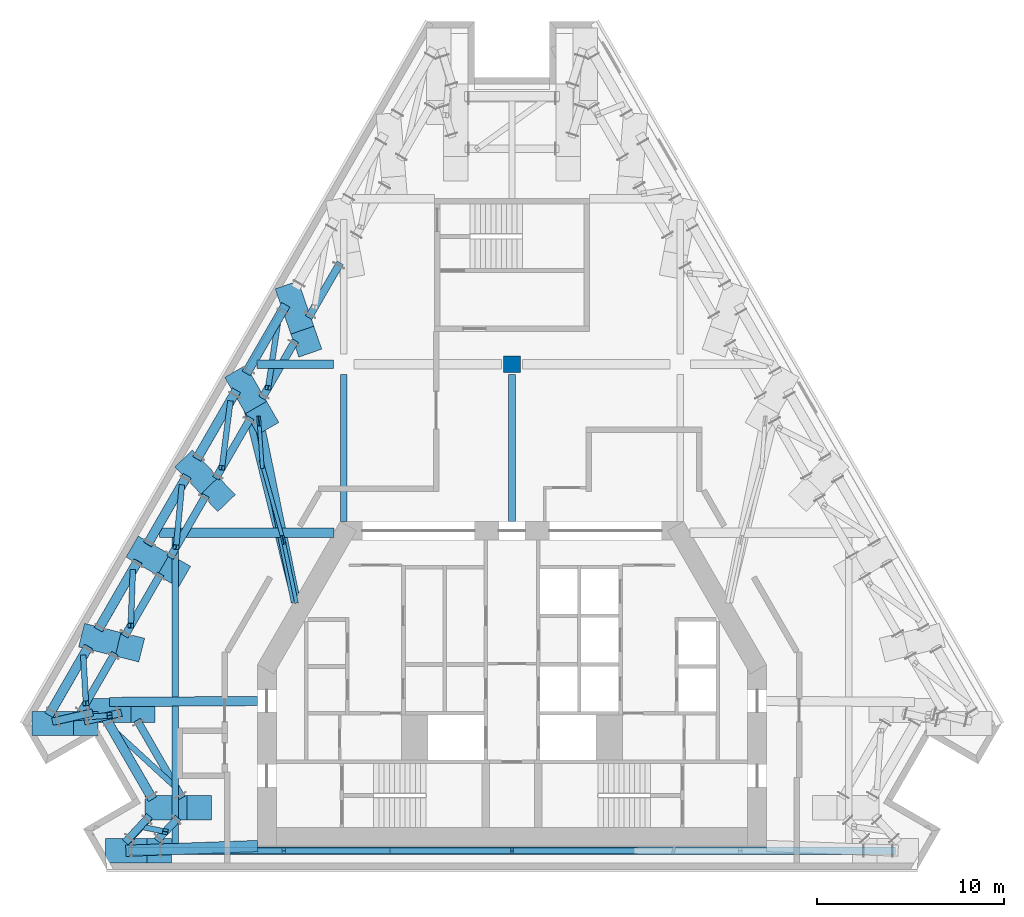
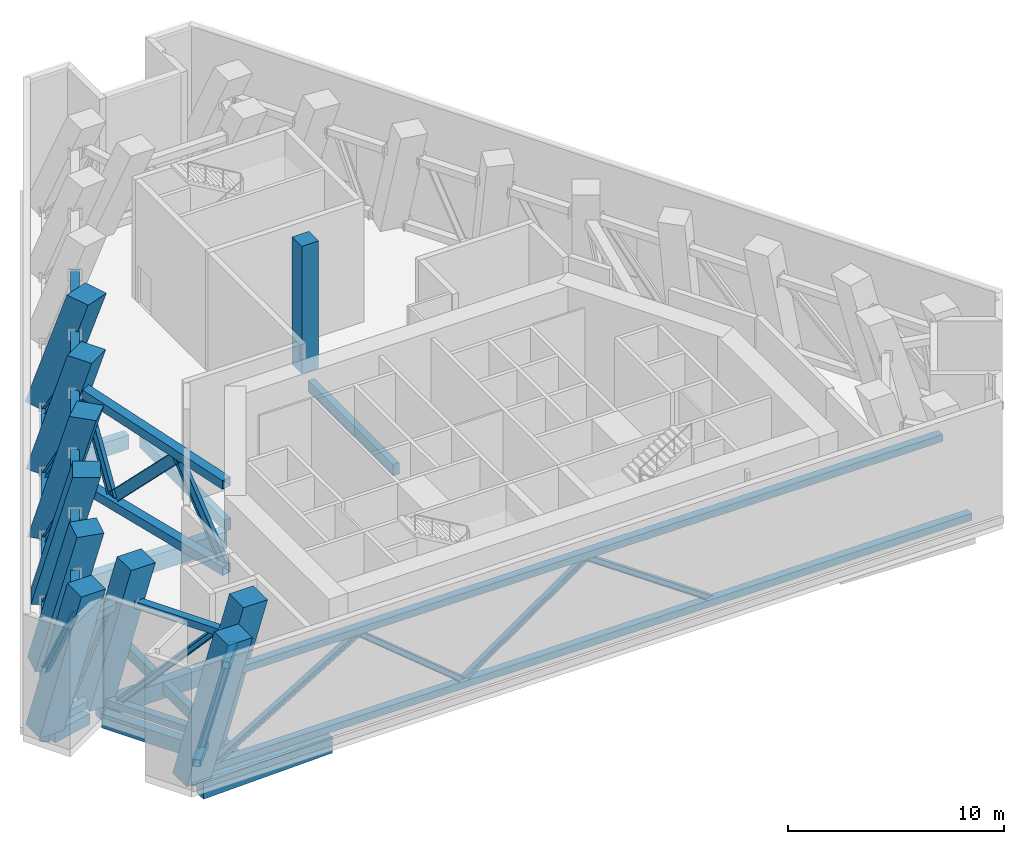
# One storey, part 1 of 13: 45 members, 16 beams, 1 column.
"""IFC4 building model written with IfcOpenShell, lengths in metres."""

from ifc_helpers import new_model, si_unit, direction, frame, origin, origin_2d, place, context, subcontext, project, spatial, rectangle, hollow_rectangle, i_section, extrude, material, material_profile, profile_set, type_object, element, save


model = new_model("IFC4")

# Units and contexts
model_context = context("Model", 3, precision=1e-05, world=origin(), true_north=direction((0.0, 1.0)))
body_context = subcontext(model_context, "Body", "Model", "MODEL_VIEW")
ifc_project = project(units=[si_unit("LENGTHUNIT", "METRE"), si_unit("AREAUNIT", "SQUARE_METRE"), si_unit("VOLUMEUNIT", "CUBIC_METRE"), si_unit("PLANEANGLEUNIT", "RADIAN"), si_unit("MASSUNIT", "GRAM", prefix="KILO")], contexts=[model_context])

# Site, building, storey
site_placement = place(None, origin())
site = spatial("IfcSite", under=ifc_project, at=site_placement, CompositionType="ELEMENT")
building_placement = place(site_placement, origin())
building = spatial("IfcBuilding", under=site, at=building_placement, Name="Fogline Exchange Tower", CompositionType="ELEMENT")
storey_placement = place(building_placement, frame((0.0, 0.0, 259.5)))
storey = spatial("IfcBuildingStorey", under=building, at=storey_placement, Name="L59", CompositionType="ELEMENT", Elevation=259.5)

# Column
ifc_material_1 = material(Name="Concrete C60", Category="concrete")
ifc_material_profile_1 = material_profile(ifc_material_1, rectangle(XDim=0.89990234375, YDim=0.89990234375, at=origin_2d()), Name="RC 900x900")
ifc_profile_set_1 = profile_set([ifc_material_profile_1], Name="Concrete C60")
column_type = type_object("IfcColumnType", Name="C06", PredefinedType="COLUMN", material=ifc_profile_set_1)
column_placement = place(storey_placement, frame((0.0, 27.0, 0.0), z_axis=(0.0, 0.0, 1.0), x_axis=(1.0, 0.0, 0.0)))
element("IfcColumn", 1, at=column_placement, inside=storey, type_object=column_type, Name="IC-0-27", PredefinedType="COLUMN", context=body_context, shape_type="SweptSolid", body=[
    extrude(rectangle(XDim=0.89990234375, YDim=0.89990234375, at=origin_2d()), origin(), (0.0, 0.0, 1.0), 7.199951171875),
])

# Beams
ifc_material_2 = material(Name="Concrete C40", Category="concrete")
ifc_material_profile_2 = material_profile(ifc_material_2, rectangle(XDim=0.60009765625, YDim=0.89990234375, at=origin_2d()), Name="RC 600x900")
ifc_profile_set_2 = profile_set([ifc_material_profile_2], Name="Concrete C40")
beam_type_1 = type_object("IfcBeamType", Name="B09", PredefinedType="BEAM", material=ifc_profile_set_2)
beam_1_placement = place(storey_placement, frame((-20.64208984375, 0.99462890625, -0.85009765625), z_axis=(0.999343107492, 0.036240219472, 0.0), x_axis=(-0.036240219472, 0.999343107492, 0.0)))
element("IfcBeam", 2, at=beam_1_placement, inside=storey, type_object=beam_type_1, Name="RB004", PredefinedType="BEAM", context=body_context, shape_type="SweptSolid", body=[
    extrude(rectangle(XDim=0.60009765625, YDim=0.89990234375, at=origin_2d()), origin(), (0.0, 0.0, 1.0), 7.046630859375),
])
ifc_material_profile_3 = material_profile(ifc_material_2, rectangle(XDim=0.5, YDim=0.800048828125, at=origin_2d()), Name="RC 500x800")
ifc_profile_set_3 = profile_set([ifc_material_profile_3], Name="Concrete C40")
beam_type_2 = type_object("IfcBeamType", Name="B10", PredefinedType="BEAM", material=ifc_profile_set_3)
beam_2_placement = place(storey_placement, frame((-21.6953125, 8.045166015625, -0.800048828125), z_axis=(0.499976646485, -0.866038886523, 0.0), x_axis=(0.866038886523, 0.499976646485, 0.0)))
element("IfcBeam", 3, at=beam_2_placement, inside=storey, type_object=beam_type_2, Name="RB002", PredefinedType="BEAM", context=body_context, shape_type="SweptSolid", body=[
    extrude(rectangle(XDim=0.5, YDim=0.800048828125, at=origin_2d()), origin(), (0.0, 0.0, 1.0), 4.960693359375),
])
for number, where, z_axis, x_axis, name in (
    (4, (-12.092041015625, 30.177001953125, -0.800048828125), (-0.499972045304, -0.866041542834, 0.0), (0.866041542834, -0.499972045304, 0.0), "RB023"),
    (5, (-14.728515625, 25.6103515625, -0.800048828125), (-0.499972045304, -0.866041542834, 0.0), (0.866041542834, -0.499972045304, 0.0), "RB024"),
):
    element("IfcBeam", number, at=place(storey_placement, frame(where, z_axis=z_axis, x_axis=x_axis)), inside=storey, type_object=beam_type_2, Name=name, PredefinedType="BEAM", context=body_context, shape_type="SweptSolid", body=[
        extrude(rectangle(XDim=0.5, YDim=0.800048828125, at=origin_2d()), origin(), (0.0, 0.0, 1.0), 4.233642578125),
    ])
beam_3_placement = place(storey_placement, frame((-17.364990234375, 21.0439453125, -0.800048828125), z_axis=(-0.499947076772, -0.866055956868, 0.0), x_axis=(0.866055956868, -0.499947076772, 0.0)))
element("IfcBeam", 6, at=beam_3_placement, inside=storey, type_object=beam_type_2, Name="RB025", PredefinedType="BEAM", context=body_context, shape_type="SweptSolid", body=[
    extrude(rectangle(XDim=0.5, YDim=0.800048828125, at=origin_2d()), origin(), (0.0, 0.0, 1.0), 4.23388671875),
])
beam_4_placement = place(storey_placement, frame((-20.00146484375, 16.477294921875, -0.800048828125), z_axis=(-0.500015295222, -0.866016572904, 0.0), x_axis=(0.866016572904, -0.500015295222, 0.0)))
element("IfcBeam", 7, at=beam_4_placement, inside=storey, type_object=beam_type_2, Name="RB026", PredefinedType="BEAM", context=body_context, shape_type="SweptSolid", body=[
    extrude(rectangle(XDim=0.5, YDim=0.800048828125, at=origin_2d()), origin(), (0.0, 0.0, 1.0), 4.233642578125),
])
beam_5_placement = place(storey_placement, frame((-22.637939453125, 11.910888671875, -0.800048828125), z_axis=(-0.499990325971, -0.866030989016, 0.0), x_axis=(0.866030989016, -0.499990325971, 0.0)))
element("IfcBeam", 8, at=beam_5_placement, inside=storey, type_object=beam_type_2, Name="RB027", PredefinedType="BEAM", context=body_context, shape_type="SweptSolid", body=[
    extrude(rectangle(XDim=0.5, YDim=0.800048828125, at=origin_2d()), origin(), (0.0, 0.0, 1.0), 4.23388671875),
])
ifc_material_profile_4 = material_profile(ifc_material_2, rectangle(XDim=0.39990234375, YDim=0.60009765625, at=origin_2d()), Name="RC 400x600")
ifc_profile_set_4 = profile_set([ifc_material_profile_4], Name="Concrete C40")
beam_type_3 = type_object("IfcBeamType", Name="B11", PredefinedType="BEAM", material=ifc_profile_set_4)
beam_6_placement = place(storey_placement, frame((-24.564697265625, 7.897216796875, -0.699951171875), z_axis=(0.974731818643, 0.223378337636, 0.0), x_axis=(-0.223378337636, 0.974731818643, 0.0)))
element("IfcBeam", 9, at=beam_6_placement, inside=storey, type_object=beam_type_3, Name="RB001", PredefinedType="BEAM", context=body_context, shape_type="SweptSolid", body=[
    extrude(rectangle(XDim=0.39990234375, YDim=0.60009765625, at=origin_2d()), origin(), (0.0, 0.0, 1.0), 2.21533203125),
])
beam_7_placement = place(storey_placement, frame((-19.37353515625, 2.84912109375, -0.699951171875), z_axis=(-0.68075009804, -0.732515736362, 0.0), x_axis=(0.732515736362, -0.68075009804, 0.0)))
element("IfcBeam", 10, at=beam_7_placement, inside=storey, type_object=beam_type_3, Name="RB003", PredefinedType="BEAM", context=body_context, shape_type="SweptSolid", body=[
    extrude(rectangle(XDim=0.39990234375, YDim=0.60009765625, at=origin_2d()), origin(), (0.0, 0.0, 1.0), 1.91015625),
])
ifc_material_profile_5 = material_profile(ifc_material_2, rectangle(XDim=0.5, YDim=0.949951171875, at=origin_2d()), Name="RC 500x950")
ifc_profile_set_5 = profile_set([ifc_material_profile_5], Name="Concrete C40")
beam_type_4 = type_object("IfcBeamType", Name="B14", PredefinedType="BEAM", material=ifc_profile_set_5)
beam_8_placement = place(storey_placement, frame((-21.50537109375, 8.9453125, -0.875), z_axis=(0.999976072531, 0.006917684998, 0.0), x_axis=(-0.006917684998, 0.999976072531, 0.0)))
element("IfcBeam", 11, at=beam_8_placement, inside=storey, type_object=beam_type_4, Name="GB001", PredefinedType="BEAM", context=body_context, shape_type="SweptSolid", body=[
    extrude(rectangle(XDim=0.5, YDim=0.949951171875, at=origin_2d()), origin(), (0.0, 0.0, 1.0), 7.905517578125),
])
beam_9_placement = place(storey_placement, frame((-18.833740234375, 18.0, -0.875), z_axis=(1.0, 0.0, 0.0), x_axis=(0.0, 1.0, 0.0)))
element("IfcBeam", 12, at=beam_9_placement, inside=storey, type_object=beam_type_4, Name="GB003", PredefinedType="BEAM", context=body_context, shape_type="SweptSolid", body=[
    extrude(rectangle(XDim=0.5, YDim=0.949951171875, at=origin_2d()), origin(), (0.0, 0.0, 1.0), 9.306640625),
])
ifc_material_profile_6 = material_profile(ifc_material_2, rectangle(XDim=0.35009765625, YDim=0.64990234375, at=origin_2d()), Name="RC 350x650")
ifc_profile_set_6 = profile_set([ifc_material_profile_6], Name="Concrete C40")
beam_type_5 = type_object("IfcBeamType", Name="B16", PredefinedType="BEAM", material=ifc_profile_set_6)
beam_10_placement = place(storey_placement, frame((-18.0, 1.390625, -0.72509765625), z_axis=(0.0, 1.0, 0.0), x_axis=(-1.0, 0.0, 0.0)))
element("IfcBeam", 13, at=beam_10_placement, inside=storey, type_object=beam_type_5, Name="SB001", PredefinedType="BEAM", context=body_context, shape_type="SweptSolid", body=[
    extrude(rectangle(XDim=0.35009765625, YDim=0.64990234375, at=origin_2d()), origin(), (0.0, 0.0, 1.0), 7.328857421875),
])
beam_11_placement = place(storey_placement, frame((-18.0, 9.219482421875, -0.72509765625), z_axis=(0.0, 1.0, 0.0), x_axis=(-1.0, 0.0, 0.0)))
element("IfcBeam", 14, at=beam_11_placement, inside=storey, type_object=beam_type_5, Name="SB002", PredefinedType="BEAM", context=body_context, shape_type="SweptSolid", body=[
    extrude(rectangle(XDim=0.35009765625, YDim=0.64990234375, at=origin_2d()), origin(), (0.0, 0.0, 1.0), 8.530517578125),
])
for number, where, z_axis, x_axis, name in (
    (15, (-9.0, 18.60009765625, -0.72509765625), (0.0, 1.0, 0.0), (-1.0, 0.0, 0.0), "SB003"),
    (16, (0.0, 18.60009765625, -0.72509765625), (0.0, 1.0, 0.0), (-1.0, 0.0, 0.0), "SB005"),
):
    element("IfcBeam", number, at=place(storey_placement, frame(where, z_axis=z_axis, x_axis=x_axis)), inside=storey, type_object=beam_type_5, Name=name, PredefinedType="BEAM", context=body_context, shape_type="SweptSolid", body=[
        extrude(rectangle(XDim=0.35009765625, YDim=0.64990234375, at=origin_2d()), origin(), (0.0, 0.0, 1.0), 7.849853515625),
    ])
ifc_material_profile_7 = material_profile(ifc_material_2, rectangle(XDim=0.449951171875, YDim=0.800048828125, at=origin_2d()), Name="RC 450x800")
ifc_profile_set_7 = profile_set([ifc_material_profile_7], Name="Concrete C40")
beam_type_6 = type_object("IfcBeamType", Name="B18", PredefinedType="BEAM", material=ifc_profile_set_7)
beam_12_placement = place(storey_placement, frame((-13.637451171875, 27.0, -0.800048828125), z_axis=(1.0, 0.0, 0.0), x_axis=(0.0, 1.0, 0.0)))
element("IfcBeam", 17, at=beam_12_placement, inside=storey, type_object=beam_type_6, Name="GB005", PredefinedType="BEAM", context=body_context, shape_type="SweptSolid", body=[
    extrude(rectangle(XDim=0.449951171875, YDim=0.800048828125, at=origin_2d()), origin(), (0.0, 0.0, 1.0), 4.08740234375),
])

# Members
ifc_material_3 = material(Name="Steel Q355B", Category="steel")
ifc_material_profile_8 = material_profile(ifc_material_3, hollow_rectangle(XDim=0.39990234375, YDim=0.39990234375, WallThickness=0.02001953125, at=origin_2d()), Name="BOX400X400X20")
ifc_profile_set_8 = profile_set([ifc_material_profile_8], Name="Steel Q355B")
member_type_1 = type_object("IfcMemberType", Name="M09", PredefinedType="CHORD", material=ifc_profile_set_8)
for number, where, z_axis, x_axis, name in (
    (18, (-24.418212890625, 7.916748046875, 0.199951171875), (0.974748583567, 0.223305169745, 0.0), (-0.223305169745, 0.974748583567, 0.0), "Belt truss chord BT1-1-BC"),
    (19, (-22.86669921875, 7.916748046875, 5.199951171875), (0.974748583567, 0.223305169745, 0.0), (-0.223305169745, 0.974748583567, 0.0), "Belt truss chord BT1-1-TC"),
):
    element("IfcMember", number, at=place(storey_placement, frame(where, z_axis=z_axis, x_axis=x_axis)), inside=storey, type_object=member_type_1, Name=name, PredefinedType="CHORD", context=body_context, shape_type="SweptSolid", body=[
        extrude(hollow_rectangle(XDim=0.39990234375, YDim=0.39990234375, WallThickness=0.02001953125, at=origin_2d()), origin(), (0.0, 0.0, 1.0), 2.042236328125),
    ])
for number, where, z_axis, x_axis, name in (
    (20, (-21.593017578125, 7.97509765625, 0.199951171875), (0.499991085587, -0.866030550462, 0.0), (0.866030550462, 0.499991085587, 0.0), "Belt truss chord BT2-1-BC"),
    (21, (-20.041259765625, 7.97509765625, 5.199951171875), (0.499991085587, -0.866030550462, 0.0), (0.866030550462, 0.499991085587, 0.0), "Belt truss chord BT2-1-TC"),
):
    element("IfcMember", number, at=place(storey_placement, frame(where, z_axis=z_axis, x_axis=x_axis)), inside=storey, type_object=member_type_1, Name=name, PredefinedType="CHORD", context=body_context, shape_type="SweptSolid", body=[
        extrude(hollow_rectangle(XDim=0.39990234375, YDim=0.39990234375, WallThickness=0.02001953125, at=origin_2d()), origin(), (0.0, 0.0, 1.0), 4.798828125),
    ])
for number, where, z_axis, x_axis, name in (
    (22, (-19.395263671875, 2.7587890625, 0.199951171875), (-0.680732470686, -0.732532117626, 0.0), (0.732532117626, -0.680732470686, 0.0), "Belt truss chord BT3-1-BC"),
    (23, (-17.843505859375, 2.7587890625, 5.199951171875), (-0.680811200707, -0.732458946967, 0.0), (0.732458946967, -0.680811200707, 0.0), "Belt truss chord BT3-1-TC"),
):
    element("IfcMember", number, at=place(storey_placement, frame(where, z_axis=z_axis, x_axis=x_axis)), inside=storey, type_object=member_type_1, Name=name, PredefinedType="CHORD", context=body_context, shape_type="SweptSolid", body=[
        extrude(hollow_rectangle(XDim=0.39990234375, YDim=0.39990234375, WallThickness=0.02001953125, at=origin_2d()), origin(), (0.0, 0.0, 1.0), 1.663818359375),
    ])
member_1_placement = place(storey_placement, frame((-20.49951171875, 1.0, 0.199951171875), z_axis=(1.0, 0.0, 0.0), x_axis=(0.0, 1.0, 0.0)))
element("IfcMember", 24, at=member_1_placement, inside=storey, type_object=member_type_1, Name="Belt truss chord BT4-1-BC", PredefinedType="CHORD", context=body_context, shape_type="SweptSolid", body=[
    extrude(hollow_rectangle(XDim=0.39990234375, YDim=0.39990234375, WallThickness=0.02001953125, at=origin_2d()), origin(), (0.0, 0.0, 1.0), 40.9990234375),
])
member_2_placement = place(storey_placement, frame((-18.94775390625, 1.0, 5.199951171875), z_axis=(1.0, 0.0, 0.0), x_axis=(0.0, 1.0, 0.0)))
element("IfcMember", 25, at=member_2_placement, inside=storey, type_object=member_type_1, Name="Belt truss chord BT4-1-TC", PredefinedType="CHORD", context=body_context, shape_type="SweptSolid", body=[
    extrude(hollow_rectangle(XDim=0.39990234375, YDim=0.39990234375, WallThickness=0.02001953125, at=origin_2d()), origin(), (0.0, 0.0, 1.0), 37.8955078125),
])
member_3_placement = place(storey_placement, frame((-9.181884765625, 32.422119140625, 5.199951171875), z_axis=(-0.50003089169, -0.866007567725, 0.0), x_axis=(0.866007567725, -0.50003089169, 0.0)))
element("IfcMember", 26, at=member_3_placement, inside=storey, type_object=member_type_1, Name="Belt truss chord BT21-1-TC", PredefinedType="CHORD", context=body_context, shape_type="SweptSolid", body=[
    extrude(hollow_rectangle(XDim=0.39990234375, YDim=0.39990234375, WallThickness=0.02001953125, at=origin_2d()), origin(), (0.0, 0.0, 1.0), 3.380126953125),
])
member_4_placement = place(storey_placement, frame((-12.163818359375, 29.945068359375, 0.199951171875), z_axis=(-0.49997767996, -0.866038289882, 0.0), x_axis=(0.866038289882, -0.49997767996, 0.0)))
element("IfcMember", 27, at=member_4_placement, inside=storey, type_object=member_type_1, Name="Belt truss chord BT22-1-BC", PredefinedType="CHORD", context=body_context, shape_type="SweptSolid", body=[
    extrude(hollow_rectangle(XDim=0.39990234375, YDim=0.39990234375, WallThickness=0.02001953125, at=origin_2d()), origin(), (0.0, 0.0, 1.0), 3.947021484375),
])
member_5_placement = place(storey_placement, frame((-11.58203125, 28.265380859375, 5.199951171875), z_axis=(-0.499997574342, -0.866026804234, 0.0), x_axis=(0.866026804234, -0.499997574342, 0.0)))
element("IfcMember", 28, at=member_5_placement, inside=storey, type_object=member_type_1, Name="Belt truss chord BT22-1-TC", PredefinedType="CHORD", context=body_context, shape_type="SweptSolid", body=[
    extrude(hollow_rectangle(XDim=0.39990234375, YDim=0.39990234375, WallThickness=0.02001953125, at=origin_2d()), origin(), (0.0, 0.0, 1.0), 3.55908203125),
])
member_6_placement = place(storey_placement, frame((-14.73779296875, 25.486572265625, 0.199951171875), z_axis=(-0.500010693214, -0.866019229966, 0.0), x_axis=(0.866019229966, -0.500010693214, 0.0)))
element("IfcMember", 29, at=member_6_placement, inside=storey, type_object=member_type_1, Name="Belt truss chord BT23-1-BC", PredefinedType="CHORD", context=body_context, shape_type="SweptSolid", body=[
    extrude(hollow_rectangle(XDim=0.39990234375, YDim=0.39990234375, WallThickness=0.02001953125, at=origin_2d()), origin(), (0.0, 0.0, 1.0), 4.13037109375),
])
member_7_placement = place(storey_placement, frame((-13.962158203125, 24.142822265625, 5.199951171875), z_axis=(-0.499984106787, -0.866034579541, 0.0), x_axis=(0.866034579541, -0.499984106787, 0.0)))
element("IfcMember", 30, at=member_7_placement, inside=storey, type_object=member_type_1, Name="Belt truss chord BT23-1-TC", PredefinedType="CHORD", context=body_context, shape_type="SweptSolid", body=[
    extrude(hollow_rectangle(XDim=0.39990234375, YDim=0.39990234375, WallThickness=0.02001953125, at=origin_2d()), origin(), (0.0, 0.0, 1.0), 3.7421875),
])
member_8_placement = place(storey_placement, frame((-17.32958984375, 20.99755859375, 0.199951171875), z_axis=(-0.500005503224, -0.866022226473, 0.0), x_axis=(0.866022226473, -0.500005503224, 0.0)))
element("IfcMember", 31, at=member_8_placement, inside=storey, type_object=member_type_1, Name="Belt truss chord BT24-1-BC", PredefinedType="CHORD", context=body_context, shape_type="SweptSolid", body=[
    extrude(hollow_rectangle(XDim=0.39990234375, YDim=0.39990234375, WallThickness=0.02001953125, at=origin_2d()), origin(), (0.0, 0.0, 1.0), 4.23095703125),
])
member_9_placement = place(storey_placement, frame((-16.35986328125, 19.98974609375, 5.199951171875), z_axis=(-0.500026735266, -0.866009967621, 0.0), x_axis=(0.866009967621, -0.500026735266, 0.0)))
element("IfcMember", 32, at=member_9_placement, inside=storey, type_object=member_type_1, Name="Belt truss chord BT24-1-TC", PredefinedType="CHORD", context=body_context, shape_type="SweptSolid", body=[
    extrude(hollow_rectangle(XDim=0.39990234375, YDim=0.39990234375, WallThickness=0.02001953125, at=origin_2d()), origin(), (0.0, 0.0, 1.0), 3.843017578125),
])
member_10_placement = place(storey_placement, frame((-19.945068359375, 16.46728515625, 0.199951171875), z_axis=(-0.500005503224, -0.866022226473, 0.0), x_axis=(0.866022226473, -0.500005503224, 0.0)))
element("IfcMember", 33, at=member_10_placement, inside=storey, type_object=member_type_1, Name="Belt truss chord BT25-1-BC", PredefinedType="CHORD", context=body_context, shape_type="SweptSolid", body=[
    extrude(hollow_rectangle(XDim=0.39990234375, YDim=0.39990234375, WallThickness=0.02001953125, at=origin_2d()), origin(), (0.0, 0.0, 1.0), 4.23095703125),
])
member_11_placement = place(storey_placement, frame((-18.781494140625, 15.795654296875, 5.199951171875), z_axis=(-0.499951581741, -0.866053356274, 0.0), x_axis=(0.866053356274, -0.499951581741, 0.0)))
element("IfcMember", 34, at=member_11_placement, inside=storey, type_object=member_type_1, Name="Belt truss chord BT25-1-TC", PredefinedType="CHORD", context=body_context, shape_type="SweptSolid", body=[
    extrude(hollow_rectangle(XDim=0.39990234375, YDim=0.39990234375, WallThickness=0.02001953125, at=origin_2d()), origin(), (0.0, 0.0, 1.0), 3.84326171875),
])
member_12_placement = place(storey_placement, frame((-22.587158203125, 11.891357421875, 0.199951171875), z_axis=(-0.499985098601, -0.86603400694, 0.0), x_axis=(0.86603400694, -0.499985098601, 0.0)))
element("IfcMember", 35, at=member_12_placement, inside=storey, type_object=member_type_1, Name="Belt truss chord BT26-1-BC", PredefinedType="CHORD", context=body_context, shape_type="SweptSolid", body=[
    extrude(hollow_rectangle(XDim=0.39990234375, YDim=0.39990234375, WallThickness=0.02001953125, at=origin_2d()), origin(), (0.0, 0.0, 1.0), 4.130615234375),
])
member_13_placement = place(storey_placement, frame((-21.2294921875, 11.555419921875, 5.199951171875), z_axis=(-0.499955859829, -0.866050886624, 0.0), x_axis=(0.866050886624, -0.499955859829, 0.0)))
element("IfcMember", 36, at=member_13_placement, inside=storey, type_object=member_type_1, Name="Belt truss chord BT26-1-TC", PredefinedType="CHORD", context=body_context, shape_type="SweptSolid", body=[
    extrude(hollow_rectangle(XDim=0.39990234375, YDim=0.39990234375, WallThickness=0.02001953125, at=origin_2d()), origin(), (0.0, 0.0, 1.0), 3.742431640625),
])
ifc_material_profile_9 = material_profile(ifc_material_3, i_section(OverallWidth=0.300048828125, OverallDepth=0.300048828125, WebThickness=0.010009765625, FlangeThickness=0.014892578125, FilletRadius=0.012939453125, at=origin_2d()), Name="HW300X300X10X15")
ifc_profile_set_9 = profile_set([ifc_material_profile_9], Name="Steel Q355B")
member_type_2 = type_object("IfcMemberType", Name="M10", PredefinedType="BRACE", material=ifc_profile_set_9)
member_14_placement = place(storey_placement, frame((-23.78466796875, 8.061767578125, 0.39990234375), z_axis=(0.443096370451, 0.032284841242, 0.895892457564), x_axis=(-0.072669255093, 0.997356094564, 0.0)))
element("IfcMember", 37, at=member_14_placement, inside=storey, type_object=member_type_2, Name="Belt truss diagonal BT1-1-D1", PredefinedType="BRACE", context=body_context, shape_type="SweptSolid", body=[
    extrude(i_section(OverallWidth=0.300048828125, OverallDepth=0.300048828125, WebThickness=0.010009765625, FlangeThickness=0.014892578125, FilletRadius=0.012939453125, at=origin_2d()), origin(), (0.0, 0.0, 1.0), 5.134765625),
])
member_15_placement = place(storey_placement, frame((-21.267822265625, 7.412109375, 0.39990234375), z_axis=(0.514039090818, -0.471839298583, 0.716331968729), x_axis=(0.676220397084, 0.736699378694, 0.0)))
element("IfcMember", 38, at=member_15_placement, inside=storey, type_object=member_type_2, Name="Belt truss diagonal BT2-1-D1", PredefinedType="BRACE", context=body_context, shape_type="SweptSolid", body=[
    extrude(i_section(OverallWidth=0.300048828125, OverallDepth=0.300048828125, WebThickness=0.010009765625, FlangeThickness=0.014892578125, FilletRadius=0.012939453125, at=origin_2d()), origin(), (0.0, 0.0, 1.0), 6.421630859375),
])
member_16_placement = place(storey_placement, frame((-19.837646484375, 2.28271484375, 0.39990234375), z_axis=(0.272294627056, -0.055672295964, 0.960602015165), x_axis=(0.200312202223, 0.979732117285, 0.0)))
element("IfcMember", 39, at=member_16_placement, inside=storey, type_object=member_type_2, Name="Belt truss diagonal BT3-1-D1", PredefinedType="BRACE", context=body_context, shape_type="SweptSolid", body=[
    extrude(i_section(OverallWidth=0.300048828125, OverallDepth=0.300048828125, WebThickness=0.010009765625, FlangeThickness=0.014892578125, FilletRadius=0.012939453125, at=origin_2d()), origin(), (0.0, 0.0, 1.0), 4.788818359375),
])
member_17_placement = place(storey_placement, frame((-19.849365234375, 1.0, 0.39990234375), z_axis=(0.857019610509, 0.0, 0.515283792878), x_axis=(0.0, 1.0, 0.0)))
element("IfcMember", 40, at=member_17_placement, inside=storey, type_object=member_type_2, Name="Belt truss diagonal BT4-1-D1", PredefinedType="BRACE", context=body_context, shape_type="SweptSolid", body=[
    extrude(i_section(OverallWidth=0.300048828125, OverallDepth=0.300048828125, WebThickness=0.010009765625, FlangeThickness=0.014892578125, FilletRadius=0.012939453125, at=origin_2d()), origin(), (0.0, 0.0, 1.0), 8.92724609375),
])
member_18_placement = place(storey_placement, frame((-12.198486328125, 1.0, 5.0), z_axis=(0.771717795181, 0.0, -0.635965128447), x_axis=(0.0, 1.0, 0.0)))
element("IfcMember", 41, at=member_18_placement, inside=storey, type_object=member_type_2, Name="Belt truss diagonal BT4-1-D2", PredefinedType="BRACE", context=body_context, shape_type="SweptSolid", body=[
    extrude(i_section(OverallWidth=0.300048828125, OverallDepth=0.300048828125, WebThickness=0.010009765625, FlangeThickness=0.014892578125, FilletRadius=0.012939453125, at=origin_2d()), origin(), (0.0, 0.0, 1.0), 7.233154296875),
])
for number, where, z_axis, x_axis, name in (
    (42, (-6.616455078125, 1.0, 0.39990234375), (0.821059547751, 0.0, 0.570842551888), (0.0, 1.0, 0.0), "Belt truss diagonal BT4-1-D3"),
    (43, (0.0, 1.0, 5.0), (0.821059547751, 0.0, -0.570842551888), (0.0, 1.0, 0.0), "Belt truss diagonal BT4-1-D4"),
):
    element("IfcMember", number, at=place(storey_placement, frame(where, z_axis=z_axis, x_axis=x_axis)), inside=storey, type_object=member_type_2, Name=name, PredefinedType="BRACE", context=body_context, shape_type="SweptSolid", body=[
        extrude(i_section(OverallWidth=0.300048828125, OverallDepth=0.300048828125, WebThickness=0.010009765625, FlangeThickness=0.014892578125, FilletRadius=0.012939453125, at=origin_2d()), origin(), (0.0, 0.0, 1.0), 8.058349609375),
    ])
member_19_placement = place(storey_placement, frame((-12.48876953125, 29.382080078125, 0.39990234375), z_axis=(-0.093028146194, -0.617410062954, 0.781121359443), x_axis=(0.988838247827, -0.148993018742, 0.0)))
element("IfcMember", 44, at=member_19_placement, inside=storey, type_object=member_type_2, Name="Belt truss diagonal BT22-1-D1", PredefinedType="BRACE", context=body_context, shape_type="SweptSolid", body=[
    extrude(i_section(OverallWidth=0.300048828125, OverallDepth=0.300048828125, WebThickness=0.010009765625, FlangeThickness=0.014892578125, FilletRadius=0.012939453125, at=origin_2d()), origin(), (0.0, 0.0, 1.0), 5.88916015625),
])
member_20_placement = place(storey_placement, frame((-15.06298828125, 24.923583984375, 0.39990234375), z_axis=(-0.077141448963, -0.599199588219, 0.796874551187), x_axis=(0.991814511624, -0.127687017871, 0.0)))
element("IfcMember", 45, at=member_20_placement, inside=storey, type_object=member_type_2, Name="Belt truss diagonal BT23-1-D1", PredefinedType="BRACE", context=body_context, shape_type="SweptSolid", body=[
    extrude(i_section(OverallWidth=0.300048828125, OverallDepth=0.300048828125, WebThickness=0.010009765625, FlangeThickness=0.014892578125, FilletRadius=0.012939453125, at=origin_2d()), origin(), (0.0, 0.0, 1.0), 5.772705078125),
])
member_21_placement = place(storey_placement, frame((-17.654541015625, 20.434814453125, 0.39990234375), z_axis=(-0.053716548794, -0.571455420788, 0.818873149174), x_axis=(0.995611106486, -0.093586989704, 0.0)))
element("IfcMember", 46, at=member_21_placement, inside=storey, type_object=member_type_2, Name="Belt truss diagonal BT24-1-D1", PredefinedType="BRACE", context=body_context, shape_type="SweptSolid", body=[
    extrude(i_section(OverallWidth=0.300048828125, OverallDepth=0.300048828125, WebThickness=0.010009765625, FlangeThickness=0.014892578125, FilletRadius=0.012939453125, at=origin_2d()), origin(), (0.0, 0.0, 1.0), 5.61767578125),
])
member_22_placement = place(storey_placement, frame((-20.27001953125, 15.904541015625, 0.39990234375), z_axis=(-0.019890147084, -0.529788917691, 0.847896270036), x_axis=(0.999295985762, -0.037517100629, 0.0)))
element("IfcMember", 47, at=member_22_placement, inside=storey, type_object=member_type_2, Name="Belt truss diagonal BT25-1-D1", PredefinedType="BRACE", context=body_context, shape_type="SweptSolid", body=[
    extrude(i_section(OverallWidth=0.300048828125, OverallDepth=0.300048828125, WebThickness=0.010009765625, FlangeThickness=0.014892578125, FilletRadius=0.012939453125, at=origin_2d()), origin(), (0.0, 0.0, 1.0), 5.42529296875),
])
member_23_placement = place(storey_placement, frame((-22.912109375, 11.328369140625, 0.39990234375), z_axis=(0.026173698033, -0.470096472723, 0.882226866438), x_axis=(0.998453614017, 0.055591192255, 0.0)))
element("IfcMember", 48, at=member_23_placement, inside=storey, type_object=member_type_2, Name="Belt truss diagonal BT26-1-D1", PredefinedType="BRACE", context=body_context, shape_type="SweptSolid", body=[
    extrude(i_section(OverallWidth=0.300048828125, OverallDepth=0.300048828125, WebThickness=0.010009765625, FlangeThickness=0.014892578125, FilletRadius=0.012939453125, at=origin_2d()), origin(), (0.0, 0.0, 1.0), 5.214111328125),
])
ifc_material_profile_10 = material_profile(ifc_material_3, hollow_rectangle(XDim=0.5, YDim=0.5, WallThickness=0.02490234375, at=origin_2d()), Name="BOX500X500X25")
ifc_profile_set_10 = profile_set([ifc_material_profile_10], Name="Steel Q355B")
member_type_3 = type_object("IfcMemberType", Name="M11", PredefinedType="CHORD", material=ifc_profile_set_10)
member_24_placement = place(storey_placement, frame((-11.53076171875, 14.3212890625, 0.25), z_axis=(-0.241067713123, 0.97050829862, 0.0), x_axis=(-0.97050829862, -0.241067713123, 0.0)))
element("IfcMember", 49, at=member_24_placement, inside=storey, type_object=member_type_3, Name="Outrigger chord OR-W-1-BC", PredefinedType="CHORD", context=body_context, shape_type="SweptSolid", body=[
    extrude(hollow_rectangle(XDim=0.5, YDim=0.5, WallThickness=0.02490234375, at=origin_2d()), origin(), (0.0, 0.0, 1.0), 11.46826171875),
])
member_25_placement = place(storey_placement, frame((-11.555419921875, 14.28759765625, 5.14990234375), z_axis=(-0.19941844948, 0.979914425859, 0.0), x_axis=(-0.979914425859, -0.19941844948, 0.0)))
element("IfcMember", 50, at=member_25_placement, inside=storey, type_object=member_type_3, Name="Outrigger chord OR-W-1-TC", PredefinedType="CHORD", context=body_context, shape_type="SweptSolid", body=[
    extrude(hollow_rectangle(XDim=0.5, YDim=0.5, WallThickness=0.02490234375, at=origin_2d()), origin(), (0.0, 0.0, 1.0), 10.0341796875),
])
ifc_material_profile_11 = material_profile(ifc_material_3, i_section(OverallWidth=0.199951171875, OverallDepth=0.60009765625, WebThickness=0.010986328125, FlangeThickness=0.01708984375, FilletRadius=0.02001953125, at=origin_2d()), Name="HN600X200X11X17")
ifc_profile_set_11 = profile_set([ifc_material_profile_11], Name="Steel Q355B")
member_type_4 = type_object("IfcMemberType", Name="M12", PredefinedType="BRACE", material=ifc_profile_set_11)
member_26_placement = place(storey_placement, frame((-11.56689453125, 14.466796875, 0.5), z_axis=(-0.122102617456, 0.577456692677, 0.80723894783), x_axis=(-0.978367429465, -0.206874776041, 0.0)))
element("IfcMember", 51, at=member_26_placement, inside=storey, type_object=member_type_4, Name="Outrigger brace OR-W-1-D1", PredefinedType="BRACE", context=body_context, shape_type="SweptSolid", body=[
    extrude(i_section(OverallWidth=0.199951171875, OverallDepth=0.60009765625, WebThickness=0.010986328125, FlangeThickness=0.01708984375, FilletRadius=0.02001953125, at=origin_2d()), origin(), (0.0, 0.0, 1.0), 5.450439453125),
])
member_27_placement = place(storey_placement, frame((-12.232421875, 17.6142578125, 4.89990234375), z_axis=(-0.184998151344, 0.668088870805, -0.72071696574), x_axis=(-0.963734130552, -0.266864245656, 0.0)))
element("IfcMember", 52, at=member_27_placement, inside=storey, type_object=member_type_4, Name="Outrigger brace OR-W-1-D2", PredefinedType="BRACE", context=body_context, shape_type="SweptSolid", body=[
    extrude(i_section(OverallWidth=0.199951171875, OverallDepth=0.60009765625, WebThickness=0.010986328125, FlangeThickness=0.01708984375, FilletRadius=0.02001953125, at=origin_2d()), origin(), (0.0, 0.0, 1.0), 6.10498046875),
])
member_28_placement = place(storey_placement, frame((-13.36181640625, 21.69287109375, 0.5), z_axis=(-0.033235358858, 0.459878891464, 0.887359462736), x_axis=(-0.997398722761, -0.072081813476, 0.0)))
element("IfcMember", 53, at=member_28_placement, inside=storey, type_object=member_type_4, Name="Outrigger brace OR-W-1-D3", PredefinedType="BRACE", context=body_context, shape_type="SweptSolid", body=[
    extrude(i_section(OverallWidth=0.199951171875, OverallDepth=0.60009765625, WebThickness=0.010986328125, FlangeThickness=0.01708984375, FilletRadius=0.02001953125, at=origin_2d()), origin(), (0.0, 0.0, 1.0), 4.95849609375),
])
ifc_material_profile_12 = material_profile(ifc_material_1, rectangle(XDim=1.300048828125, YDim=1.300048828125, at=origin_2d()), Name="RC 1300x1300")
ifc_profile_set_12 = profile_set([ifc_material_profile_12], Name="Concrete C60")
member_type_5 = type_object("IfcMemberType", Name="RP02", PredefinedType="POST", material=ifc_profile_set_12)
for number, where, z_axis, x_axis, name in (
    (54, (-25.0146484375, 7.794189453125, 0.0), (0.0, 0.0, 1.0), (0.0, 1.0, 0.0), "SW-a"),
    (55, (-21.955322265625, 8.4951171875, 0.0), (0.0, 0.0, 1.0), (0.0, 1.0, 0.0), "SW-p4"),
    (56, (-18.955322265625, 3.299072265625, 0.0), (0.0, 0.0, 1.0), (0.0, 1.0, 0.0), "SW-p3"),
    (57, (-21.092041015625, 1.0, 0.0), (0.0, 0.0, 1.0), (0.0, 1.0, 0.0), "SW-b"),
):
    element("IfcMember", number, at=place(storey_placement, frame(where, z_axis=z_axis, x_axis=x_axis)), inside=storey, type_object=member_type_5, Name=name, PredefinedType="POST", context=body_context, shape_type="SweptSolid", body=[
        extrude(rectangle(XDim=1.300048828125, YDim=1.300048828125, at=origin_2d()), origin(), (0.0, -0.296388010045, 0.955067614099), 7.53857421875),
    ])
member_29_placement = place(storey_placement, frame((-11.832275390625, 30.626953125, 0.0), z_axis=(0.0, 0.0, 1.0), x_axis=(0.944907803858, 0.327336588558, 0.0)))
element("IfcMember", 58, at=member_29_placement, inside=storey, type_object=member_type_5, Name="W3", PredefinedType="POST", context=body_context, shape_type="SweptSolid", body=[
    extrude(rectangle(XDim=1.300048828125, YDim=1.300048828125, at=origin_2d()), origin(), (0.0, -0.334979371943, 0.942225461539), 7.641357421875),
])
member_30_placement = place(storey_placement, frame((-14.46875, 26.060302734375, 0.0), z_axis=(0.0, 0.0, 1.0), x_axis=(0.866001785954, 0.500040905051, 0.0)))
element("IfcMember", 59, at=member_30_placement, inside=storey, type_object=member_type_5, Name="W4", PredefinedType="POST", context=body_context, shape_type="SweptSolid", body=[
    extrude(rectangle(XDim=1.300048828125, YDim=1.300048828125, at=origin_2d()), origin(), (0.0, -0.296365894128, 0.955074477095), 7.53857421875),
])
member_31_placement = place(storey_placement, frame((-17.105224609375, 21.493896484375, 0.0), z_axis=(0.0, 0.0, 1.0), x_axis=(0.72061175141, 0.693338808758, 0.0)))
element("IfcMember", 60, at=member_31_placement, inside=storey, type_object=member_type_5, Name="W5", PredefinedType="POST", context=body_context, shape_type="SweptSolid", body=[
    extrude(rectangle(XDim=1.300048828125, YDim=1.300048828125, at=origin_2d()), origin(), (0.0, -0.269401443554, 0.963027965435), 7.476318359375),
])
member_32_placement = place(storey_placement, frame((-19.74169921875, 16.92724609375, 0.0), z_axis=(0.0, 0.0, 1.0), x_axis=(0.500006411147, 0.866021702275, 0.0)))
element("IfcMember", 61, at=member_32_placement, inside=storey, type_object=member_type_5, Name="W6", PredefinedType="POST", context=body_context, shape_type="SweptSolid", body=[
    extrude(rectangle(XDim=1.300048828125, YDim=1.300048828125, at=origin_2d()), origin(), (0.0, -0.259546400421, 0.965730638443), 7.45556640625),
])
member_33_placement = place(storey_placement, frame((-22.378173828125, 12.36083984375, 0.0), z_axis=(0.0, 0.0, 1.0), x_axis=(0.240253211832, 0.970710252446, 0.0)))
element("IfcMember", 62, at=member_33_placement, inside=storey, type_object=member_type_5, Name="W7", PredefinedType="POST", context=body_context, shape_type="SweptSolid", body=[
    extrude(rectangle(XDim=1.300048828125, YDim=1.300048828125, at=origin_2d()), origin(), (0.0, -0.269392198097, 0.96303055175), 7.476318359375),
])

save(model, "model.ifc")
